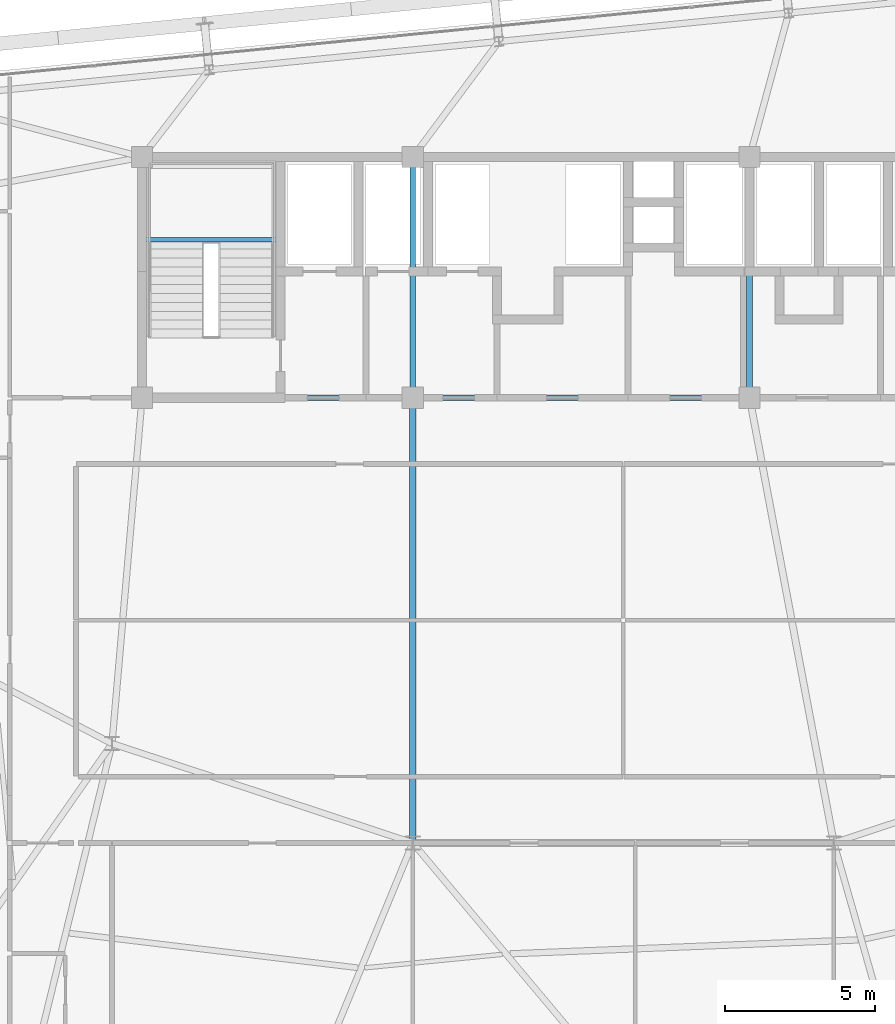
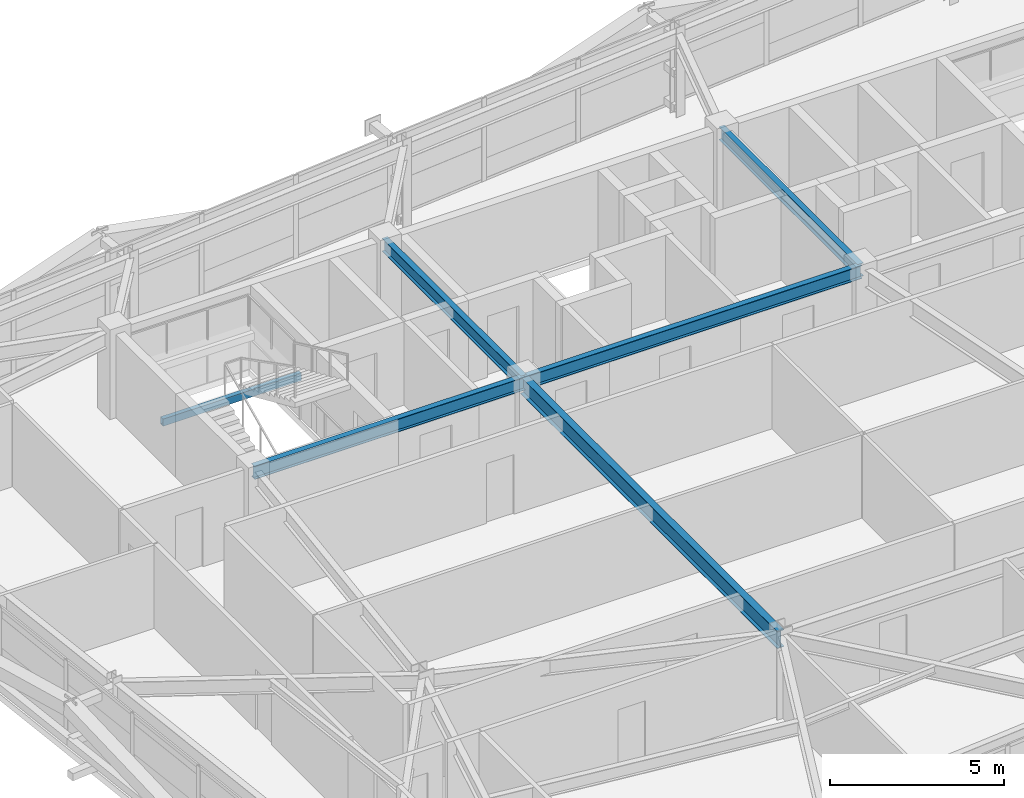
# One storey, part 16 of 52: 6 beams.
"""IFC4 building model written with IfcOpenShell, lengths in metres."""

from ifc_helpers import new_model, si_unit, direction, frame, origin, origin_2d, place, context, subcontext, project, spatial, hollow_rectangle, i_section, extrude, source, transform, mapped, material, material_profile, profile_set, type_object, element, save


model = new_model("IFC4")

# Units and contexts
model_context = context("Model", 3, precision=1e-05, world=origin(), true_north=direction((0.0, 1.0)))
body_context = subcontext(model_context, "Body", "Model", "MODEL_VIEW")
ifc_project = project(units=[si_unit("LENGTHUNIT", "METRE"), si_unit("AREAUNIT", "SQUARE_METRE"), si_unit("VOLUMEUNIT", "CUBIC_METRE"), si_unit("PLANEANGLEUNIT", "RADIAN"), si_unit("MASSUNIT", "GRAM", prefix="KILO")], contexts=[model_context])

# Site, building, storey
site_placement = place(None, origin())
site = spatial("IfcSite", under=ifc_project, at=site_placement, CompositionType="ELEMENT")
building_placement = place(site_placement, origin())
building = spatial("IfcBuilding", under=site, at=building_placement, Name="Taldren Reach Tower", CompositionType="ELEMENT")
storey_placement = place(building_placement, frame((0.0, 0.0, 74.550048828125)))
storey = spatial("IfcBuildingStorey", under=building, at=storey_placement, Name="L22", CompositionType="ELEMENT", Elevation=74.550048828125)

# Beams
ifc_material_1 = material(Name="Steel Gr 350 (350PLUS)", Category="steel")
ifc_material_profile_1 = material_profile(ifc_material_1, i_section(OverallWidth=0.19091796875, OverallDepth=0.4599609375, WebThickness=0.010009765625, FlangeThickness=0.01611328125, at=origin_2d()), Name="460UB82.1")
ifc_profile_set_1 = profile_set([ifc_material_profile_1], Name="Steel Gr 350 (350PLUS)")
beam_type_1 = type_object("IfcBeamType", Name="BM-UB460A", PredefinedType="BEAM", material=ifc_profile_set_1)
shared_shape_1 = source(origin(), body_context, "Body", "SweptSolid", [
    extrude(i_section(OverallWidth=0.19091796875, OverallDepth=0.4599609375, WebThickness=0.010009765625, FlangeThickness=0.01611328125, at=origin_2d()), origin(), (0.0, 0.0, 1.0), 9.0),
])
beam_1_placement = place(storey_placement, frame((19.0, 24.0, 2.699951171875), z_axis=(1.0, 0.0, 0.0), x_axis=(0.0, 1.0, 0.0)))
element("IfcBeam", 1, at=beam_1_placement, inside=storey, type_object=beam_type_1, Name="Core-spine girder L22-SP01", PredefinedType="BEAM", context=body_context, shape_type="MappedRepresentation", body=[
    mapped(shared_shape_1, transform((0.0, 0.0, 0.0), scale=1.0)),
])
shared_shape_2 = source(origin(), body_context, "Body", "SweptSolid", [
    extrude(i_section(OverallWidth=0.19091796875, OverallDepth=0.4599609375, WebThickness=0.010009765625, FlangeThickness=0.01611328125, at=origin_2d()), origin(), (0.0, 0.0, 1.0), 11.199951171875),
])
beam_2_placement = place(storey_placement, frame((28.0, 24.0, 2.699951171875), z_axis=(1.0, 0.0, 0.0), x_axis=(0.0, 1.0, 0.0)))
element("IfcBeam", 2, at=beam_2_placement, inside=storey, type_object=beam_type_1, Name="Core-spine girder L22-SP02", PredefinedType="BEAM", context=body_context, shape_type="MappedRepresentation", body=[
    mapped(shared_shape_2, transform((0.0, 0.0, 0.0), scale=1.0)),
])
shared_shape_3 = source(origin(), body_context, "Body", "SweptSolid", [
    extrude(i_section(OverallWidth=0.19091796875, OverallDepth=0.4599609375, WebThickness=0.010009765625, FlangeThickness=0.01611328125, at=origin_2d()), origin(), (0.0, 0.0, 1.0), 8.0),
])
for number, where, z_axis, x_axis, name in (
    (3, (28.0, 24.0, 2.699951171875), (0.0, 1.0, 0.0), (-1.0, 0.0, 0.0), "Core-spine girder L22-SP07"),
    (4, (39.199951171875, 24.0, 2.699951171875), (0.0, 1.0, 0.0), (-1.0, 0.0, 0.0), "Core-spine girder L22-SP08"),
):
    element("IfcBeam", number, at=place(storey_placement, frame(where, z_axis=z_axis, x_axis=x_axis)), inside=storey, type_object=beam_type_1, Name=name, PredefinedType="BEAM", context=body_context, shape_type="MappedRepresentation", body=[
        mapped(shared_shape_3, transform((0.0, 0.0, 0.0), scale=1.0)),
    ])
ifc_material_profile_2 = material_profile(ifc_material_1, i_section(OverallWidth=0.22802734375, OverallDepth=0.60205078125, WebThickness=0.010498046875, FlangeThickness=0.014892578125, at=origin_2d()), Name="610UB101")
ifc_profile_set_2 = profile_set([ifc_material_profile_2], Name="Steel Gr 350 (350PLUS)")
beam_type_2 = type_object("IfcBeamType", Name="BM-UB610B", PredefinedType="BEAM", material=ifc_profile_set_2)
shared_shape_4 = source(origin(), body_context, "Body", "SweptSolid", [
    extrude(i_section(OverallWidth=0.22802734375, OverallDepth=0.60205078125, WebThickness=0.010498046875, FlangeThickness=0.014892578125, at=origin_2d()), origin(), (0.0, 0.0, 1.0), 14.800048828125),
])
beam_3_placement = place(storey_placement, frame((28.0, 24.0, 2.62890625), z_axis=(0.0, -1.0, 0.0), x_axis=(1.0, 0.0, 0.0)))
element("IfcBeam", 5, at=beam_3_placement, inside=storey, type_object=beam_type_2, Name="Core-spine girder L22-SP14", PredefinedType="BEAM", context=body_context, shape_type="MappedRepresentation", body=[
    mapped(shared_shape_4, transform((0.0, 0.0, 0.0), scale=1.0)),
])
ifc_material_2 = material(Name="Steel Gr 350 (C350L0)", Category="steel")
ifc_material_profile_3 = material_profile(ifc_material_2, hollow_rectangle(XDim=0.14990234375, YDim=0.25, WallThickness=0.009033203125, at=origin_2d()), Name="250x150x9.0RHS")
ifc_profile_set_3 = profile_set([ifc_material_profile_3], Name="Steel Gr 350 (C350L0)")
beam_type_3 = type_object("IfcBeamType", Name="LN-RHS250", PredefinedType="LINTEL", material=ifc_profile_set_3)
shared_shape_5 = source(origin(), body_context, "Body", "SweptSolid", [
    extrude(hollow_rectangle(XDim=0.14990234375, YDim=0.25, WallThickness=0.009033203125, at=origin_2d()), origin(), (0.0, 0.0, 1.0), 4.60009765625),
])
beam_4_placement = place(storey_placement, frame((19.0, 29.2548828125, 1.27001953125), z_axis=(1.0, 0.0, 0.0), x_axis=(0.0, 1.0, 0.0)))
element("IfcBeam", 6, at=beam_4_placement, inside=storey, type_object=beam_type_3, Name="Stair half-landing support beam ST1-L22-1", PredefinedType="LINTEL", context=body_context, shape_type="MappedRepresentation", body=[
    mapped(shared_shape_5, transform((0.0, 0.0, 0.0), scale=1.0)),
])

save(model, "model.ifc")
